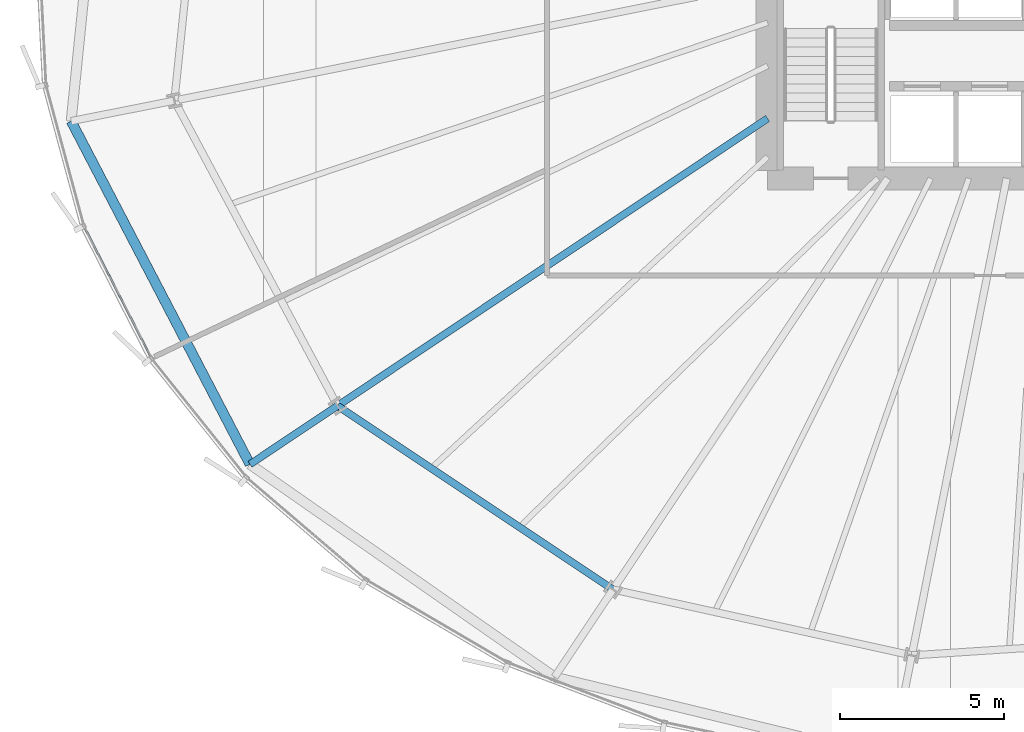
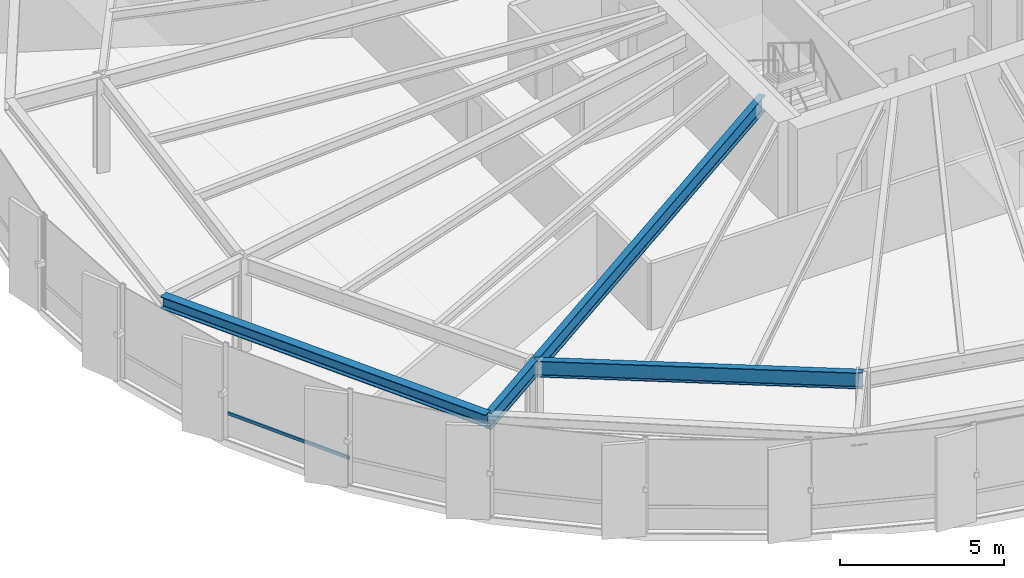
# One storey, part 3 of 38: 4 beams, 1 member, 1 element without a shape of its own.
"""IFC4 building model written with IfcOpenShell, lengths in metres."""

from ifc_helpers import new_model, si_unit, direction, frame, origin, origin_2d, place, context, subcontext, project, spatial, hollow_rectangle, i_section, extrude, source, transform, mapped, material, layer, layer_set, material_profile, profile_set, type_object, element, aggregate, save


model = new_model("IFC4")

# Units and contexts
model_context = context("Model", 3, precision=1e-05, world=origin(), true_north=direction((0.0, 1.0)))
body_context = subcontext(model_context, "Body", "Model", "MODEL_VIEW")
ifc_project = project(units=[si_unit("LENGTHUNIT", "METRE"), si_unit("AREAUNIT", "SQUARE_METRE"), si_unit("VOLUMEUNIT", "CUBIC_METRE"), si_unit("PLANEANGLEUNIT", "RADIAN"), si_unit("MASSUNIT", "GRAM", prefix="KILO"), si_unit("THERMODYNAMICTEMPERATUREUNIT", "KELVIN")], contexts=[model_context])

# Site, building, storey
site_placement = place(None, origin())
site = spatial("IfcSite", under=ifc_project, at=site_placement, CompositionType="ELEMENT")
building_placement = place(site_placement, origin())
building = spatial("IfcBuilding", under=site, at=building_placement, Name="Kethvar Cultural Tower", CompositionType="ELEMENT")
storey_placement = place(building_placement, frame((0.0, 0.0, 67.60009765625)))
storey = spatial("IfcBuildingStorey", under=building, at=storey_placement, Name="L16", CompositionType="ELEMENT", Elevation=67.60009765625)

# Beams
ifc_material_1 = material(Name="Steel S355J2", Category="steel")
ifc_material_profile_1 = material_profile(ifc_material_1, i_section(OverallWidth=0.219970703125, OverallDepth=0.60009765625, WebThickness=0.011962890625, FlangeThickness=0.01904296875, FilletRadius=0.02392578125, at=origin_2d()), Name="Steel S355J2 — IPE600")
ifc_profile_set_1 = profile_set([ifc_material_profile_1], Name="Steel S355J2 — IPE600")
beam_type_1 = type_object("IfcBeamType", Name="BM-IPE600", PredefinedType="BEAM", material=ifc_profile_set_1)
shared_shape_1 = source(origin(), body_context, "Body", "SweptSolid", [
    extrude(i_section(OverallWidth=0.219970703125, OverallDepth=0.60009765625, WebThickness=0.011962890625, FlangeThickness=0.01904296875, FilletRadius=0.02392578125, at=origin_2d()), origin(), (0.0, 0.0, 1.0), 3.2001953125),
])
beam_1_placement = place(storey_placement, frame((24.9248046875, 13.183349609375, 3.247802734375), z_axis=(-0.831486491686, -0.555544970406, 0.0), x_axis=(0.555544970406, -0.831486491686, 0.0)))
element("IfcBeam", 1, at=beam_1_placement, inside=storey, type_object=beam_type_1, Name="L16 Perimeter Cantilever Beam RC-10", PredefinedType="BEAM", context=body_context, shape_type="MappedRepresentation", body=[
    mapped(shared_shape_1, transform((0.0, 0.0, 0.0), scale=1.0)),
])
shared_shape_2 = source(origin(), body_context, "Body", "SweptSolid", [
    extrude(i_section(OverallWidth=0.219970703125, OverallDepth=0.60009765625, WebThickness=0.011962890625, FlangeThickness=0.01904296875, FilletRadius=0.02392578125, at=origin_2d()), origin(), (0.0, 0.0, 1.0), 15.725341796875),
])
beam_2_placement = place(storey_placement, frame((38.0, 21.919921875, 3.247802734375), z_axis=(-0.831469433959, -0.555570499929, 0.0), x_axis=(0.555570499929, -0.831469433959, 0.0)))
element("IfcBeam", 2, at=beam_2_placement, inside=storey, type_object=beam_type_1, Name="L16 Primary Radial Beam RB-10", PredefinedType="BEAM", context=body_context, shape_type="MappedRepresentation", body=[
    mapped(shared_shape_2, transform((0.0, 0.0, 0.0), scale=1.0)),
])
shared_shape_3 = source(origin(), body_context, "Body", "SweptSolid", [
    extrude(i_section(OverallWidth=0.219970703125, OverallDepth=0.60009765625, WebThickness=0.011962890625, FlangeThickness=0.01904296875, FilletRadius=0.02392578125, at=origin_2d()), origin(), (0.0, 0.0, 1.0), 10.06787109375),
])
beam_3_placement = place(storey_placement, frame((24.9248046875, 13.183349609375, 3.247802734375), z_axis=(0.832065216665, -0.554677812083, 0.0), x_axis=(0.554677812083, 0.832065216665, 0.0)))
element("IfcBeam", 3, at=beam_3_placement, inside=storey, type_object=beam_type_1, Name="L16 Column Ring Tie Beam CR-10", PredefinedType="BEAM", context=body_context, shape_type="MappedRepresentation", body=[
    mapped(shared_shape_3, transform((0.0, 0.0, 0.0), scale=1.0)),
])
ifc_material_profile_2 = material_profile(ifc_material_1, i_section(OverallWidth=0.300048828125, OverallDepth=0.449951171875, WebThickness=0.013916015625, FlangeThickness=0.02587890625, FilletRadius=0.027099609375, at=origin_2d()), Name="Steel S355J2 — HEB450")
ifc_profile_set_2 = profile_set([ifc_material_profile_2], Name="Steel S355J2 — HEB450")
beam_type_2 = type_object("IfcBeamType", Name="BM-SP450", PredefinedType="SPANDREL", material=ifc_profile_set_2)
shared_shape_4 = source(origin(), body_context, "Body", "SweptSolid", [
    extrude(i_section(OverallWidth=0.300048828125, OverallDepth=0.449951171875, WebThickness=0.013916015625, FlangeThickness=0.02587890625, FilletRadius=0.027099609375, at=origin_2d()), origin(), (0.0, 0.0, 1.0), 11.76416015625),
])
beam_4_placement = place(storey_placement, frame((16.827392578125, 21.838134765625, 3.322998046875), z_axis=(0.462126222064, -0.886814160285, 0.0), x_axis=(0.886814160285, 0.462126222064, 0.0)))
element("IfcBeam", 4, at=beam_4_placement, inside=storey, type_object=beam_type_2, Name="L16 Perimeter Spandrel Beam SP-09", PredefinedType="SPANDREL", context=body_context, shape_type="MappedRepresentation", body=[
    mapped(shared_shape_4, transform((0.0, 0.0, 0.0), scale=1.0)),
])

# Curtain wall, member
ifc_material_2 = material(Name="Aluminium 6063-T6", Category="aluminium")
ifc_layer = layer(ifc_material_2, 0.179931640625, Name="Aluminium 6063-T6", Category="aluminium")
ifc_layer_set = layer_set([ifc_layer], Name="Aluminium 6063-T6 (180 mm)")
curtain_wall_type = type_object("IfcCurtainWallType", Name="CW-SYS-02-Z1", PredefinedType="NOTDEFINED", material=ifc_layer_set)
curtain_wall_placement = place(storey_placement, origin())
curtain_wall = element("IfcCurtainWall", 5, at=curtain_wall_placement, inside=storey, type_object=curtain_wall_type, Name="L16 Curtain Wall Run 04", PredefinedType="NOTDEFINED")
ifc_material_profile_3 = material_profile(ifc_material_2, hollow_rectangle(XDim=0.054931640625, YDim=0.1201171875, WallThickness=0.00390625, at=origin_2d()), Name="Aluminium 6063-T6 — RHS120x55x4")
ifc_profile_set_3 = profile_set([ifc_material_profile_3], Name="Aluminium 6063-T6 — RHS120x55x4")
member_type = type_object("IfcMemberType", Name="CW-SYS-02-Z1-TRN", PredefinedType="USERDEFINED", material=ifc_profile_set_3)
shared_shape_5 = source(origin(), body_context, "Body", "SweptSolid", [
    extrude(hollow_rectangle(XDim=0.054931640625, YDim=0.1201171875, WallThickness=0.00390625, at=origin_2d()), origin(), (0.0, 0.0, 1.0), 4.443115234375),
])
member_placement = place(storey_placement, frame((17.234130859375, 18.60693359375, 0.949951171875), z_axis=(0.45556796164, -0.890201006698, 0.0), x_axis=(0.890201006698, 0.45556796164, 0.0)))
member = element("IfcMember", 6, at=member_placement, type_object=member_type, Name="CW-L16-R04 Transom 3", ObjectType="TRANSOM", PredefinedType="USERDEFINED", context=body_context, shape_type="MappedRepresentation", body=[
    mapped(shared_shape_5, transform((0.0, 0.0, 0.0), scale=1.0)),
])
aggregate(curtain_wall, [member])

save(model, "model.ifc")
